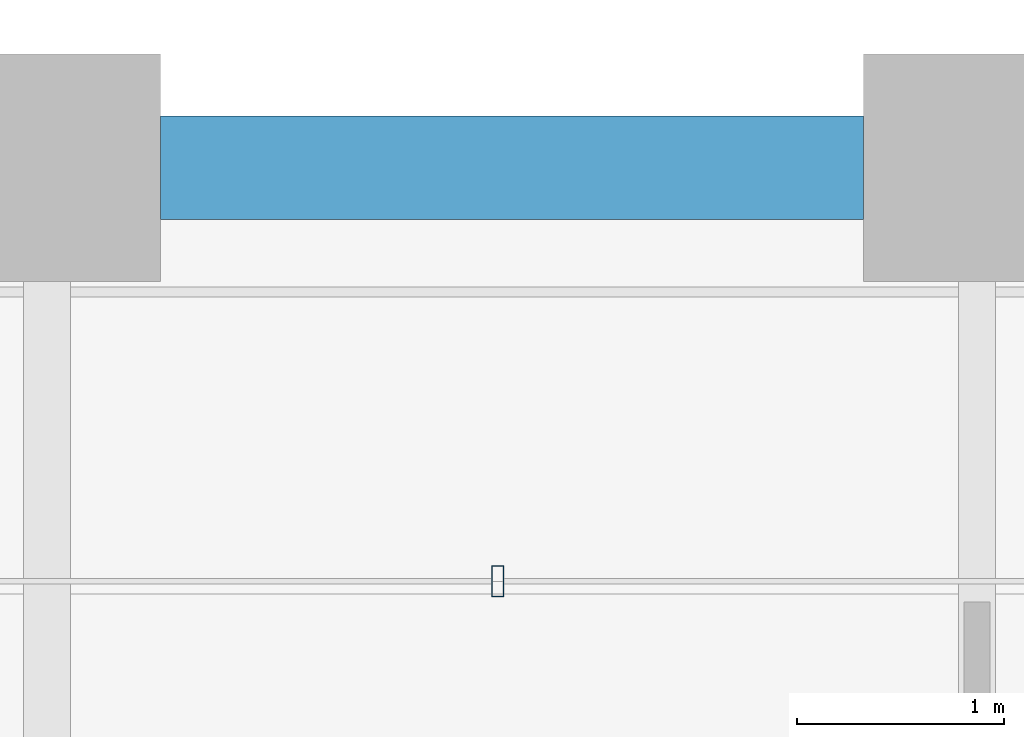
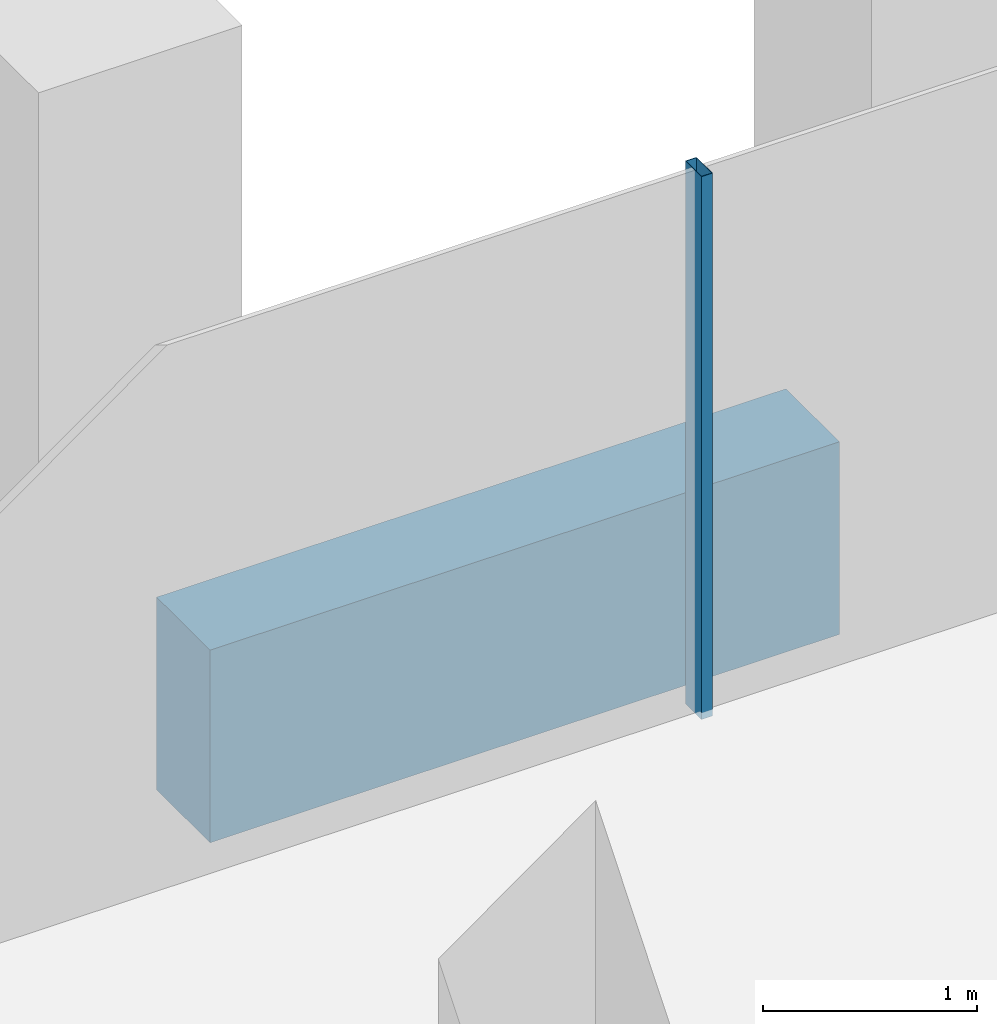
# One storey, part 42 of 54: 1 beam, 1 member, 1 element without a shape of its own.
"""IFC4 building model written with IfcOpenShell, lengths in metres."""

from ifc_helpers import new_model, si_unit, direction, frame, origin, origin_2d, place, context, subcontext, project, spatial, rectangle, hollow_rectangle, extrude, material, material_profile, profile_set, type_object, element, aggregate, save


model = new_model("IFC4")

# Units and contexts
model_context = context("Model", 3, precision=1e-05, world=origin(), true_north=direction((0.0, 1.0)))
body_context = subcontext(model_context, "Body", "Model", "MODEL_VIEW")
ifc_project = project(units=[si_unit("LENGTHUNIT", "METRE"), si_unit("AREAUNIT", "SQUARE_METRE"), si_unit("VOLUMEUNIT", "CUBIC_METRE"), si_unit("PLANEANGLEUNIT", "RADIAN"), si_unit("MASSUNIT", "GRAM", prefix="KILO")], contexts=[model_context])

# Site, building, storey
site_placement = place(None, origin())
site = spatial("IfcSite", under=ifc_project, at=site_placement, CompositionType="ELEMENT")
building_placement = place(site_placement, origin())
building = spatial("IfcBuilding", under=site, at=building_placement, Name="Altepetl Exchange Towers", CompositionType="ELEMENT")
storey_placement = place(building_placement, frame((0.0, 0.0, 58.199951171875)))
storey = spatial("IfcBuildingStorey", under=building, at=storey_placement, Name="L13", CompositionType="ELEMENT", Elevation=58.199951171875)

# Curtain wall, member
ifc_material_1 = material(Name="Aluminium 6063-T6 glazing", Category="aluminium")
curtain_wall_type = type_object("IfcCurtainWallType", Name="Loggia glazing system", PredefinedType="NOTDEFINED", material=ifc_material_1)
curtain_wall_placement = place(storey_placement, origin())
curtain_wall = element("IfcCurtainWall", 1, at=curtain_wall_placement, inside=storey, type_object=curtain_wall_type, Name="CW1 run", PredefinedType="NOTDEFINED")
ifc_material_2 = material(Name="Aluminium 6063-T6", Category="aluminium")
ifc_material_profile_1 = material_profile(ifc_material_2, hollow_rectangle(XDim=0.06005859375, YDim=0.14990234375, WallThickness=0.0029296875, at=origin_2d()), Name="Mullion 60x150 aluminium")
ifc_profile_set_1 = profile_set([ifc_material_profile_1], Name="Aluminium 6063-T6")
member_type = type_object("IfcMemberType", Name="Mullion 60x150 aluminium", PredefinedType="MULLION", material=ifc_profile_set_1)
member_placement = place(storey_placement, frame((105.68115234375, 56.5, 0.0), z_axis=(0.0, 0.0, 1.0), x_axis=(-1.0, 0.0, 0.0)))
member = element("IfcMember", 2, at=member_placement, type_object=member_type, Name="MU1 mullion", PredefinedType="MULLION", context=body_context, shape_type="SweptSolid", body=[
    extrude(hollow_rectangle(XDim=0.06005859375, YDim=0.14990234375, WallThickness=0.0029296875, at=origin_2d()), origin(), (0.0, 0.0, 1.0), 3.10009765625),
])
aggregate(curtain_wall, [member])

# Beam
ifc_material_3 = material(Name="Concrete C50/60 precast with cantera amarilla facing", Category="concrete")
ifc_material_profile_2 = material_profile(ifc_material_3, rectangle(XDim=0.5, YDim=1.10009765625, at=origin_2d()), Name="500 x 1100")
ifc_profile_set_2 = profile_set([ifc_material_profile_2], Name="Concrete C50/60 precast with cantera amarilla facing")
beam_type = type_object("IfcBeamType", Name="Spandrel beam 500x1100 cantera amarilla", PredefinedType="SPANDREL", material=ifc_profile_set_2)
beam_placement = place(storey_placement, frame((107.449951171875, 58.5, -0.699951171875), z_axis=(-1.0, 0.0, 0.0), x_axis=(0.0, -1.0, 0.0)))
element("IfcBeam", 3, at=beam_placement, inside=storey, type_object=beam_type, Name="sp:B:L13:021", PredefinedType="SPANDREL", context=body_context, shape_type="SweptSolid", body=[
    extrude(rectangle(XDim=0.5, YDim=1.10009765625, at=origin_2d()), origin(), (0.0, 0.0, 1.0), 3.39990234375),
])

save(model, "model.ifc")
